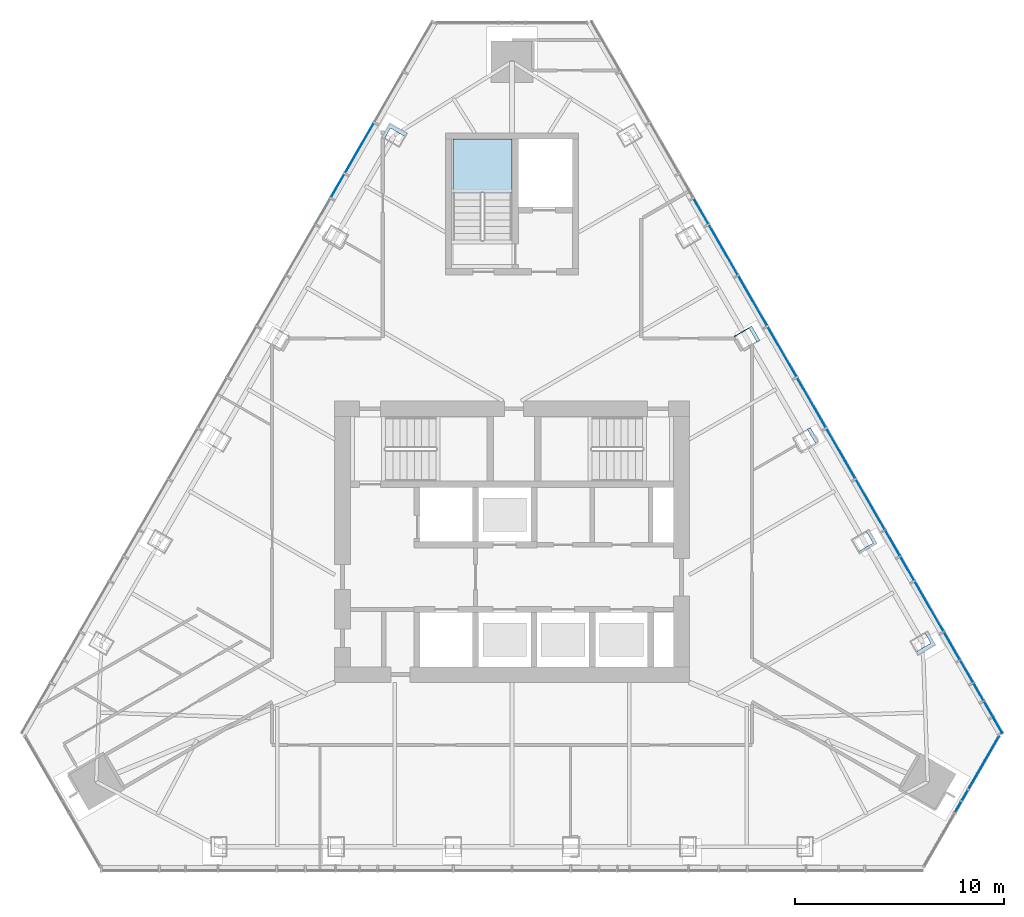
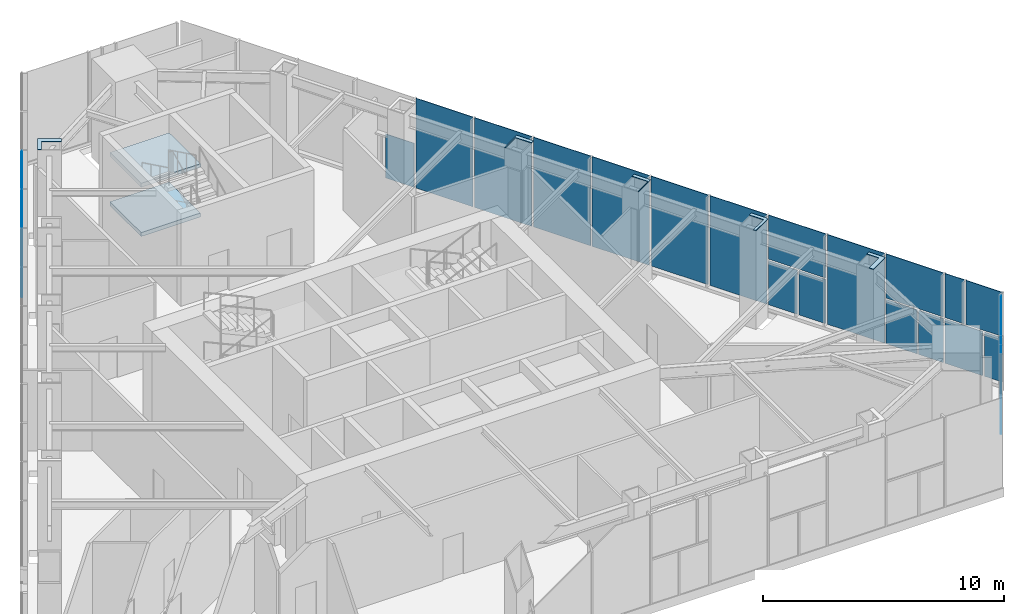
# One storey, part 10 of 17: 30 plates, 2 slabs, 4 elements without a shape of their own.
"""IFC4 building model written with IfcOpenShell, lengths in metres."""

from ifc_helpers import new_model, si_unit, direction, frame, origin, place, context, subcontext, project, spatial, polyline, outline, extrude, material, layer, layer_set, type_object, element, aggregate, save


model = new_model("IFC4")

# Units and contexts
model_context = context("Model", 3, precision=1e-05, world=origin(), true_north=direction((0.0, 1.0)))
body_context = subcontext(model_context, "Body", "Model", "MODEL_VIEW")
ifc_project = project(units=[si_unit("LENGTHUNIT", "METRE"), si_unit("AREAUNIT", "SQUARE_METRE"), si_unit("VOLUMEUNIT", "CUBIC_METRE"), si_unit("PLANEANGLEUNIT", "RADIAN"), si_unit("MASSUNIT", "GRAM", prefix="KILO")], contexts=[model_context])

# Site, building, storey
site_placement = place(None, origin())
site = spatial("IfcSite", under=ifc_project, at=site_placement, CompositionType="ELEMENT")
building_placement = place(site_placement, origin())
building = spatial("IfcBuilding", under=site, at=building_placement, Name="Firuza Gate Tower and Library", CompositionType="ELEMENT")
storey_placement = place(building_placement, frame((0.0, 0.0, 326.60009765625)))
storey = spatial("IfcBuildingStorey", under=building, at=storey_placement, Name="L80", CompositionType="ELEMENT", Elevation=326.60009765625)

# Plates
ifc_material_1 = material(Name="Steel S355", Category="steel")
ifc_layer_1 = layer(ifc_material_1, 0.030029296875)
ifc_layer_set_1 = layer_set([ifc_layer_1], Name="Column infill plate 30 Steel S355")
plate_type_1 = type_object("IfcPlateType", Name="Column infill plate 30 Steel S355", PredefinedType="SHEET", material=ifc_layer_set_1)
placement_1 = place(storey_placement, frame((0.0, 0.0, 5.0)))
element("IfcPlate", 1, at=placement_1, inside=storey, type_object=plate_type_1, Name="Infill plate L80:E1", PredefinedType="SHEET", context=body_context, shape_type="SweptSolid", body=[
    extrude(outline(polyline([(94.93359375, 70.727783203125), (94.786865234375, 70.64306640625), (95.082275390625, 70.131591796875), (94.36279296875, 69.71630859375), (94.467529296875, 69.534912109375), (95.33349609375, 70.034912109375), (94.93359375, 70.727783203125)])), origin(), (0.0, 0.0, 1.0), 0.02978515625),
])
element("IfcPlate", 2, at=placement_1, inside=storey, type_object=plate_type_1, Name="Infill plate L80:E2", PredefinedType="SHEET", context=body_context, shape_type="SweptSolid", body=[
    extrude(outline(polyline([(92.120361328125, 75.6005859375), (91.9736328125, 75.515869140625), (92.310791015625, 74.931884765625), (91.59130859375, 74.5166015625), (91.654296875, 74.40771484375), (92.520263671875, 74.90771484375), (92.120361328125, 75.6005859375)])), origin(), (0.0, 0.0, 1.0), 0.02978515625),
])
element("IfcPlate", 3, at=placement_1, inside=storey, type_object=plate_type_1, Name="Infill plate L80:E3", PredefinedType="SHEET", context=body_context, shape_type="SweptSolid", body=[
    extrude(outline(polyline([(89.306884765625, 80.473388671875), (89.16015625, 80.388671875), (89.539306640625, 79.732177734375), (88.81982421875, 79.31689453125), (88.8408203125, 79.280517578125), (89.70703125, 79.780517578125), (89.306884765625, 80.473388671875)])), origin(), (0.0, 0.0, 1.0), 0.02978515625),
])
element("IfcPlate", 4, at=placement_1, inside=storey, type_object=plate_type_1, Name="Infill plate L80:E4", PredefinedType="SHEET", context=body_context, shape_type="SweptSolid", body=[
    extrude(outline(polyline([(85.627685546875, 84.84619140625), (85.6484375, 84.81005859375), (86.367919921875, 85.225341796875), (86.746826171875, 84.56884765625), (86.8935546875, 84.653564453125), (86.49365234375, 85.34619140625), (85.627685546875, 84.84619140625)])), origin(), (0.0, 0.0, 1.0), 0.02978515625),
])
element("IfcPlate", 5, at=placement_1, inside=storey, type_object=plate_type_1, Name="Infill plate L80:W1", PredefinedType="SHEET", context=body_context, shape_type="SweptSolid", body=[
    extrude(outline(polyline([(68.733154296875, 94.399169921875), (68.879638671875, 94.314453125), (69.175048828125, 94.825927734375), (69.894287109375, 94.410400390625), (69.9990234375, 94.592041015625), (69.133056640625, 95.092041015625), (68.733154296875, 94.399169921875)])), origin(), (0.0, 0.0, 1.0), 0.02978515625),
])

# Curtain wall, plates
ifc_material_2 = material(Name="Aluminium 6063-T6", Category="aluminium")
ifc_layer_2 = layer(ifc_material_2, 0.14990234375)
ifc_layer_set_2 = layer_set([ifc_layer_2], Name="Corner curtain wall, chamfers")
curtain_wall_type_1 = type_object("IfcCurtainWallType", Name="Corner curtain wall, chamfers", PredefinedType="NOTDEFINED", material=ifc_layer_set_2)
placement_2 = place(storey_placement, origin())
curtain_wall_1 = element("IfcCurtainWall", 6, at=placement_2, inside=storey, type_object=curtain_wall_type_1, Name="CW4 L80 SE corner", PredefinedType="NOTDEFINED")
ifc_material_3 = material(Name="Fritted glass", Category="glass")
ifc_layer_3 = layer(ifc_material_3, 0.030029296875)
ifc_layer_set_3 = layer_set([ifc_layer_3], Name="Fritted glass unit, corners")
plate_type_2 = type_object("IfcPlateType", Name="Fritted glass unit, corners", PredefinedType="CURTAIN_PANEL", material=ifc_layer_set_3)
plate_6_placement = place(storey_placement, frame((96.266357421875, 62.017578125, 2.46484375), z_axis=(0.866100000774, -0.49987077196, 0.0), x_axis=(0.49987077196, 0.866100000774, 0.0)))
plate_6 = element("IfcPlate", 7, at=plate_6_placement, type_object=plate_type_2, Name="Glass unit", PredefinedType="CURTAIN_PANEL", context=body_context, shape_type="SweptSolid", body=[
    extrude(outline(polyline([(0.0, 0.0), (0.5699715313578215, 0.0), (0.5699715313578215, 2.235107421875), (0.0, 2.235107421875), (0.0, 0.0)])), origin(), (0.0, 0.0, -1.0), 0.030029296875),
])
plate_7_placement = place(storey_placement, frame((96.59130859375, 62.58056640625, 0.14990234375), z_axis=(0.865999591991, -0.500044704672, 0.0), x_axis=(0.500044704672, 0.865999591991, 0.0)))
plate_7 = element("IfcPlate", 8, at=plate_7_placement, type_object=plate_type_2, Name="Glass unit", PredefinedType="CURTAIN_PANEL", context=body_context, shape_type="SweptSolid", body=[
    extrude(outline(polyline([(0.0, 0.0), (3.563157982880169, 0.0), (3.563157982880169, 2.235107421875), (0.0, 2.235107421875), (0.0, 0.0)])), origin(), (0.0, 0.0, -1.0), 0.030029296875),
])
plate_8_placement = place(storey_placement, frame((96.59130859375, 62.58056640625, 2.46484375), z_axis=(0.865992911964, -0.500056273262, 0.0), x_axis=(0.500056273262, 0.865992911964, 0.0)))
plate_8 = element("IfcPlate", 9, at=plate_8_placement, type_object=plate_type_2, Name="Glass unit", PredefinedType="CURTAIN_PANEL", context=body_context, shape_type="SweptSolid", body=[
    extrude(outline(polyline([(0.0, 0.0), (0.5697600942322595, 0.0), (0.5697600942322595, 2.2351074218749996), (0.0, 2.2351074218749996), (0.0, 0.0)])), origin(), (0.0, 0.0, -1.0), 0.030029296875),
])

ifc_material_4 = material(Name="Aluminium 6063-T6", Category="aluminium")
ifc_layer_4 = layer(ifc_material_4, 0.14990234375)
ifc_layer_set_4 = layer_set([ifc_layer_4], Name="Unitised curtain wall, residences")
curtain_wall_type_2 = type_object("IfcCurtainWallType", Name="Unitised curtain wall, residences", PredefinedType="NOTDEFINED", material=ifc_layer_set_4)
curtain_wall_2 = element("IfcCurtainWall", 10, at=placement_2, inside=storey, type_object=curtain_wall_type_2, Name="CW3 L80 E face", PredefinedType="NOTDEFINED")
ifc_material_5 = material(Name="Fritted glass", Category="glass")
ifc_layer_5 = layer(ifc_material_5, 0.030029296875)
ifc_layer_set_5 = layer_set([ifc_layer_5], Name="Fritted glass unit, residences")
plate_type_3 = type_object("IfcPlateType", Name="Fritted glass unit, residences", PredefinedType="CURTAIN_PANEL", material=ifc_layer_set_5)
plate_9_placement = place(storey_placement, frame((98.520263671875, 65.835693359375, 0.14990234375), z_axis=(0.865942270095, 0.500143964137, 0.0), x_axis=(-0.500143964137, 0.865942270095, 0.0)))
plate_9 = element("IfcPlate", 11, at=plate_9_placement, type_object=plate_type_3, Name="Glass unit", PredefinedType="CURTAIN_PANEL", context=body_context, shape_type="SweptSolid", body=[
    extrude(outline(polyline([(0.0, 0.0), (0.8522936630567545, 0.0), (0.8522936630567545, 2.235107421875), (0.0, 2.235107421875), (0.0, 0.0)])), origin(), (0.0, 0.0, -1.0), 0.030029296875),
])
plate_10_placement = place(storey_placement, frame((97.613525390625, 67.40576171875, 2.46484375), z_axis=(0.866111002094, 0.499851710062, 0.0), x_axis=(-0.499851710062, 0.866111002094, 0.0)))
plate_10 = element("IfcPlate", 12, at=plate_10_placement, type_object=plate_type_3, Name="Glass unit", PredefinedType="CURTAIN_PANEL", context=body_context, shape_type="SweptSolid", body=[
    extrude(outline(polyline([(0.0, 0.0), (0.9265443256519172, 0.0), (0.9265443256519172, 2.235107421875), (0.0, 2.235107421875), (0.0, 0.0)])), origin(), (0.0, 0.0, -1.0), 0.030029296875),
])
plate_11_placement = place(storey_placement, frame((96.481689453125, 69.366455078125, 0.14990234375), z_axis=(0.86603470313, 0.499983892715, 0.0), x_axis=(-0.499983892715, 0.86603470313, 0.0)))
plate_11 = element("IfcPlate", 13, at=plate_11_placement, type_object=plate_type_3, Name="Glass unit", PredefinedType="CURTAIN_PANEL", context=body_context, shape_type="SweptSolid", body=[
    extrude(outline(polyline([(0.0, 0.0), (1.4819813351427495, 0.0), (1.4819813351427495, 2.235107421875), (0.0, 2.235107421875), (0.0, 0.0)])), origin(), (0.0, 0.0, -1.0), 0.030029296875),
])
plate_12_placement = place(storey_placement, frame((93.609619140625, 74.3408203125, 0.14990234375), z_axis=(0.866052736899, 0.499952654668, 0.0), x_axis=(-0.499952654668, 0.866052736899, 0.0)))
plate_12 = element("IfcPlate", 14, at=plate_12_placement, type_object=plate_type_3, Name="Glass unit", PredefinedType="CURTAIN_PANEL", context=body_context, shape_type="SweptSolid", body=[
    extrude(outline(polyline([(0.0, 0.0), (1.3770835219521138, 0.0), (1.3770835219521138, 2.235107421875), (0.0, 2.235107421875), (0.0, 0.0)])), origin(), (0.0, 0.0, -1.0), 0.030029296875),
])
plate_13_placement = place(storey_placement, frame((84.422607421875, 90.25341796875, 0.14990234375), z_axis=(0.865975970311, 0.500085611514, 0.0), x_axis=(-0.500085611514, 0.865975970311, 0.0)))
plate_13 = element("IfcPlate", 15, at=plate_13_placement, type_object=plate_type_3, Name="Glass unit", PredefinedType="CURTAIN_PANEL", context=body_context, shape_type="SweptSolid", body=[
    extrude(outline(polyline([(0.0, 0.0), (1.3772055969364978, 0.0), (1.3772055969364978, 2.235107421875), (0.0, 2.235107421875), (0.0, 0.0)])), origin(), (0.0, 0.0, -1.0), 0.030029296875),
])

# Plate
ifc_material_6 = material(Name="Glazed ceramic tile")
ifc_layer_6 = layer(ifc_material_6, 0.030029296875)
ifc_layer_set_6 = layer_set([ifc_layer_6], Name="Opaque ceramic panel, corners")
plate_type_4 = type_object("IfcPlateType", Name="Opaque ceramic panel, corners", PredefinedType="CURTAIN_PANEL", material=ifc_layer_set_6)
plate_14_placement = place(storey_placement, frame((96.916259765625, 63.143310546875, 2.46484375), z_axis=(0.866001369261, -0.500041626706, 0.0), x_axis=(0.500041626706, 0.866001369261, 0.0)))
plate_14 = element("IfcPlate", 16, at=plate_14_placement, type_object=plate_type_4, Name="Opaque ceramic panel", PredefinedType="CURTAIN_PANEL", context=body_context, shape_type="SweptSolid", body=[
    extrude(outline(polyline([(0.0, 0.0), (2.9133316739486435, 0.0), (2.9133316739486435, 2.235107421875), (0.0, 2.235107421875), (0.0, 0.0)])), origin(), (0.0, 0.0, -1.0), 0.030029296875),
])

aggregate(curtain_wall_1, [plate_6, plate_7, plate_8, plate_14])

ifc_material_7 = material(Name="Glazed ceramic tile")
ifc_layer_7 = layer(ifc_material_7, 0.030029296875)
ifc_layer_set_7 = layer_set([ifc_layer_7], Name="Opaque ceramic panel, residences")
plate_type_5 = type_object("IfcPlateType", Name="Opaque ceramic panel, residences", PredefinedType="CURTAIN_PANEL", material=ifc_layer_set_7)
plate_15_placement = place(storey_placement, frame((98.053955078125, 66.64306640625, 0.14990234375), z_axis=(0.866048366499, 0.499960225302, 0.0), x_axis=(-0.499960225302, 0.866048366499, 0.0)))
plate_15 = element("IfcPlate", 17, at=plate_15_placement, type_object=plate_type_5, Name="Opaque ceramic panel", PredefinedType="CURTAIN_PANEL", context=body_context, shape_type="SweptSolid", body=[
    extrude(outline(polyline([(0.0, 0.0), (1.8072726736985412, 0.0), (1.8072726736985412, 2.235107421875), (0.0, 2.235107421875), (0.0, 0.0)])), origin(), (0.0, 0.0, -1.0), 0.030029296875),
])

plate_16_placement = place(storey_placement, frame((98.520263671875, 65.835693359375, 2.46484375), z_axis=(0.865997922154, 0.500047596559, 0.0), x_axis=(-0.500047596559, 0.865997922154, 0.0)))
plate_16 = element("IfcPlate", 18, at=plate_16_placement, type_object=plate_type_5, Name="Opaque ceramic panel", PredefinedType="CURTAIN_PANEL", context=body_context, shape_type="SweptSolid", body=[
    extrude(outline(polyline([(0.0, 0.0), (1.7332334456028065, 0.0), (1.7332334456028065, 2.235107421875), (0.0, 2.235107421875), (0.0, 0.0)])), origin(), (0.0, 0.0, -1.0), 0.030029296875),
])

plate_17_placement = place(storey_placement, frame((97.1103515625, 68.27734375, 0.14990234375), z_axis=(0.866078557025, 0.499907924584, 0.0), x_axis=(-0.499907924584, 0.866078557025, 0.0)))
plate_17 = element("IfcPlate", 19, at=plate_17_placement, type_object=plate_type_5, Name="Opaque ceramic panel", PredefinedType="CURTAIN_PANEL", context=body_context, shape_type="SweptSolid", body=[
    extrude(outline(polyline([(0.0, 0.0), (1.1774629245274688, 0.0), (1.1774629245274688, 2.235107421875), (0.0, 2.235107421875), (0.0, 0.0)])), origin(), (0.0, 0.0, -1.0), 0.030029296875),
])

plate_18_placement = place(storey_placement, frame((97.1103515625, 68.27734375, 2.46484375), z_axis=(0.866052025982, 0.499953886166, 0.0), x_axis=(-0.499953886166, 0.866052025982, 0.0)))
plate_18 = element("IfcPlate", 20, at=plate_18_placement, type_object=plate_type_5, Name="Opaque ceramic panel", PredefinedType="CURTAIN_PANEL", context=body_context, shape_type="SweptSolid", body=[
    extrude(outline(polyline([(0.0, 0.0), (2.739510471163151, 0.0), (2.739510471163151, 2.235107421875), (0.0, 2.235107421875), (0.0, 0.0)])), origin(), (0.0, 0.0, -1.0), 0.030029296875),
])

plate_19_placement = place(storey_placement, frame((95.70068359375, 70.71923828125, 0.14990234375), z_axis=(0.866013438122, 0.500020724563, 0.0), x_axis=(-0.500020724563, 0.866013438122, 0.0)))
plate_19 = element("IfcPlate", 21, at=plate_19_placement, type_object=plate_type_5, Name="Opaque ceramic panel", PredefinedType="CURTAIN_PANEL", context=body_context, shape_type="SweptSolid", body=[
    extrude(outline(polyline([(0.0, 0.0), (2.739632538376557, 0.0), (2.739632538376557, 4.550048828125001), (0.0, 4.550048828125001), (0.0, 0.0)])), origin(), (0.0, 0.0, -1.0), 0.030029296875),
])

plate_20_placement = place(storey_placement, frame((94.290771484375, 73.160888671875, 0.14990234375), z_axis=(0.8660556056, 0.499947685273, 0.0), x_axis=(-0.499947685273, 0.8660556056, 0.0)))
plate_20 = element("IfcPlate", 22, at=plate_20_placement, type_object=plate_type_5, Name="Opaque ceramic panel", PredefinedType="CURTAIN_PANEL", context=body_context, shape_type="SweptSolid", body=[
    extrude(outline(polyline([(0.0, 0.0), (1.2823607352047453, 0.0), (1.2823607352047453, 2.235107421875), (0.0, 2.235107421875), (0.0, 0.0)])), origin(), (0.0, 0.0, -1.0), 0.030029296875),
])

plate_21_placement = place(storey_placement, frame((94.290771484375, 73.160888671875, 2.46484375), z_axis=(0.866052025982, 0.499953886166, 0.0), x_axis=(-0.499953886166, 0.866052025982, 0.0)))
plate_21 = element("IfcPlate", 23, at=plate_21_placement, type_object=plate_type_5, Name="Opaque ceramic panel", PredefinedType="CURTAIN_PANEL", context=body_context, shape_type="SweptSolid", body=[
    extrude(outline(polyline([(0.0, 0.0), (2.739510471163151, 0.0), (2.739510471163151, 2.235107421875), (0.0, 2.235107421875), (0.0, 0.0)])), origin(), (0.0, 0.0, -1.0), 0.030029296875),
])

plate_22_placement = place(storey_placement, frame((92.881103515625, 75.602783203125, 0.14990234375), z_axis=(0.866052025982, 0.499953886166, 0.0), x_axis=(-0.499953886166, 0.866052025982, 0.0)))
plate_22 = element("IfcPlate", 24, at=plate_22_placement, type_object=plate_type_5, Name="Opaque ceramic panel", PredefinedType="CURTAIN_PANEL", context=body_context, shape_type="SweptSolid", body=[
    extrude(outline(polyline([(0.0, 0.0), (2.739510471163151, 0.0), (2.739510471163151, 4.550048828125), (0.0, 4.550048828125), (0.0, 0.0)])), origin(), (0.0, 0.0, -1.0), 0.030029296875),
])

plate_23_placement = place(storey_placement, frame((91.471435546875, 78.04443359375, 0.14990234375), z_axis=(0.866013438122, 0.500020724563, 0.0), x_axis=(-0.500020724563, 0.866013438122, 0.0)))
plate_23 = element("IfcPlate", 25, at=plate_23_placement, type_object=plate_type_5, Name="Opaque ceramic panel", PredefinedType="CURTAIN_PANEL", context=body_context, shape_type="SweptSolid", body=[
    extrude(outline(polyline([(0.0, 0.0), (2.739632538376557, 0.0), (2.739632538376557, 4.550048828125001), (0.0, 4.550048828125001), (0.0, 0.0)])), origin(), (0.0, 0.0, -1.0), 0.030029296875),
])

plate_24_placement = place(storey_placement, frame((90.0615234375, 80.486328125, 0.14990234375), z_axis=(0.866052025982, 0.499953886166, 0.0), x_axis=(-0.499953886166, 0.866052025982, 0.0)))
plate_24 = element("IfcPlate", 26, at=plate_24_placement, type_object=plate_type_5, Name="Opaque ceramic panel", PredefinedType="CURTAIN_PANEL", context=body_context, shape_type="SweptSolid", body=[
    extrude(outline(polyline([(0.0, 0.0), (2.739510471163151, 0.0), (2.739510471163151, 4.550048828125), (0.0, 4.550048828125), (0.0, 0.0)])), origin(), (0.0, 0.0, -1.0), 0.030029296875),
])

plate_25_placement = place(storey_placement, frame((88.65185546875, 82.927978515625, 0.14990234375), z_axis=(0.866013438122, 0.500020724563, 0.0), x_axis=(-0.500020724563, 0.866013438122, 0.0)))
plate_25 = element("IfcPlate", 27, at=plate_25_placement, type_object=plate_type_5, Name="Opaque ceramic panel", PredefinedType="CURTAIN_PANEL", context=body_context, shape_type="SweptSolid", body=[
    extrude(outline(polyline([(0.0, 0.0), (2.739632538376557, 0.0), (2.739632538376557, 4.550048828125001), (0.0, 4.550048828125001), (0.0, 0.0)])), origin(), (0.0, 0.0, -1.0), 0.030029296875),
])

plate_26_placement = place(storey_placement, frame((87.2421875, 85.369873046875, 0.14990234375), z_axis=(0.866013438122, 0.500020724563, 0.0), x_axis=(-0.500020724563, 0.866013438122, 0.0)))
plate_26 = element("IfcPlate", 28, at=plate_26_placement, type_object=plate_type_5, Name="Opaque ceramic panel", PredefinedType="CURTAIN_PANEL", context=body_context, shape_type="SweptSolid", body=[
    extrude(outline(polyline([(0.0, 0.0), (2.739632538376557, 0.0), (2.739632538376557, 4.550048828125001), (0.0, 4.550048828125001), (0.0, 0.0)])), origin(), (0.0, 0.0, -1.0), 0.030029296875),
])

plate_27_placement = place(storey_placement, frame((85.832275390625, 87.8115234375, 0.14990234375), z_axis=(0.866052025982, 0.499953886166, 0.0), x_axis=(-0.499953886166, 0.866052025982, 0.0)))
plate_27 = element("IfcPlate", 29, at=plate_27_placement, type_object=plate_type_5, Name="Opaque ceramic panel", PredefinedType="CURTAIN_PANEL", context=body_context, shape_type="SweptSolid", body=[
    extrude(outline(polyline([(0.0, 0.0), (2.739510471163151, 0.0), (2.739510471163151, 4.550048828125), (0.0, 4.550048828125), (0.0, 0.0)])), origin(), (0.0, 0.0, -1.0), 0.030029296875),
])

aggregate(curtain_wall_2, [plate_9, plate_15, plate_16, plate_10, plate_17, plate_11, plate_18, plate_19, plate_20, plate_12, plate_21, plate_22, plate_23, plate_24, plate_25, plate_26, plate_27, plate_13])

# Curtain wall, plates
curtain_wall_3 = element("IfcCurtainWall", 30, at=placement_2, inside=storey, type_object=curtain_wall_type_2, Name="CW3 L80 W face", PredefinedType="NOTDEFINED")
plate_28_placement = place(storey_placement, frame((68.35693359375, 95.067626953125, 0.14990234375), z_axis=(-0.866052025982, 0.499953886166, 0.0), x_axis=(-0.499953886166, -0.866052025982, 0.0)))
plate_28 = element("IfcPlate", 31, at=plate_28_placement, type_object=plate_type_5, Name="Opaque ceramic panel", PredefinedType="CURTAIN_PANEL", context=body_context, shape_type="SweptSolid", body=[
    extrude(outline(polyline([(0.0, 0.0), (2.739510471163151, 0.0), (2.739510471163151, 4.550048828125), (0.0, 4.550048828125), (0.0, 0.0)])), origin(), (0.0, 0.0, -1.0), 0.030029296875),
])
plate_29_placement = place(storey_placement, frame((66.947265625, 92.6259765625, 0.14990234375), z_axis=(-0.865973168852, 0.500090462645, 0.0), x_axis=(-0.500090462645, -0.865973168852, 0.0)))
plate_29 = element("IfcPlate", 32, at=plate_29_placement, type_object=plate_type_5, Name="Opaque ceramic panel", PredefinedType="CURTAIN_PANEL", context=body_context, shape_type="SweptSolid", body=[
    extrude(outline(polyline([(0.0, 0.0), (1.2824828101748031, 0.0), (1.2824828101748031, 2.235107421875), (0.0, 2.235107421875), (0.0, 0.0)])), origin(), (0.0, 0.0, -1.0), 0.030029296875),
])
plate_30_placement = place(storey_placement, frame((66.947265625, 92.6259765625, 2.46484375), z_axis=(-0.866013438122, 0.500020724563, 0.0), x_axis=(-0.500020724563, -0.866013438122, 0.0)))
plate_30 = element("IfcPlate", 33, at=plate_30_placement, type_object=plate_type_5, Name="Opaque ceramic panel", PredefinedType="CURTAIN_PANEL", context=body_context, shape_type="SweptSolid", body=[
    extrude(outline(polyline([(0.0, 0.0), (2.7396325383765565, 0.0), (2.7396325383765565, 2.235107421875), (0.0, 2.235107421875), (0.0, 0.0)])), origin(), (0.0, 0.0, -1.0), 0.030029296875),
])
aggregate(curtain_wall_3, [plate_28, plate_29, plate_30])

# Stair, slabs
ifc_material_8 = material(Name="Concrete C35/45", Category="concrete")
stair_type = type_object("IfcStairType", Name="Exit stair ST11", PredefinedType="HALF_TURN_STAIR", material=ifc_material_8)
stair = element("IfcStair", 34, at=placement_2, inside=storey, type_object=stair_type, Name="L80 Stair ST3", PredefinedType="HALF_TURN_STAIR")
ifc_material_9 = material(Name="Concrete C35/45", Category="concrete")
ifc_layer_8 = layer(ifc_material_9, 0.199951171875)
ifc_layer_set_8 = layer_set([ifc_layer_8], Name="Stair landing 200")
slab_type = type_object("IfcSlabType", Name="Stair landing 200", PredefinedType="LANDING", material=ifc_layer_set_8)
slab_1_placement = place(storey_placement, frame((0.0, 0.0, 1.0498046875)))
slab_1 = element("IfcSlab", 35, at=slab_1_placement, type_object=slab_type, Name="ST3 landing 1", PredefinedType="LANDING", context=body_context, shape_type="SweptSolid", body=[
    extrude(outline(polyline([(75.0, 91.7099609375), (75.0, 94.300048828125), (72.159912109375, 94.300048828125), (72.159912109375, 91.7099609375), (75.0, 91.7099609375)])), origin(), (0.0, 0.0, 1.0), 0.2001953125),
])
slab_2_placement = place(storey_placement, frame((0.0, 0.0, 3.5498046875)))
slab_2 = element("IfcSlab", 36, at=slab_2_placement, type_object=slab_type, Name="ST3 landing 3", PredefinedType="LANDING", context=body_context, shape_type="SweptSolid", body=[
    extrude(outline(polyline([(75.0, 91.7099609375), (75.0, 94.300048828125), (72.159912109375, 94.300048828125), (72.159912109375, 91.7099609375), (75.0, 91.7099609375)])), origin(), (0.0, 0.0, 1.0), 0.2001953125),
])
aggregate(stair, [slab_1, slab_2])

save(model, "model.ifc")
